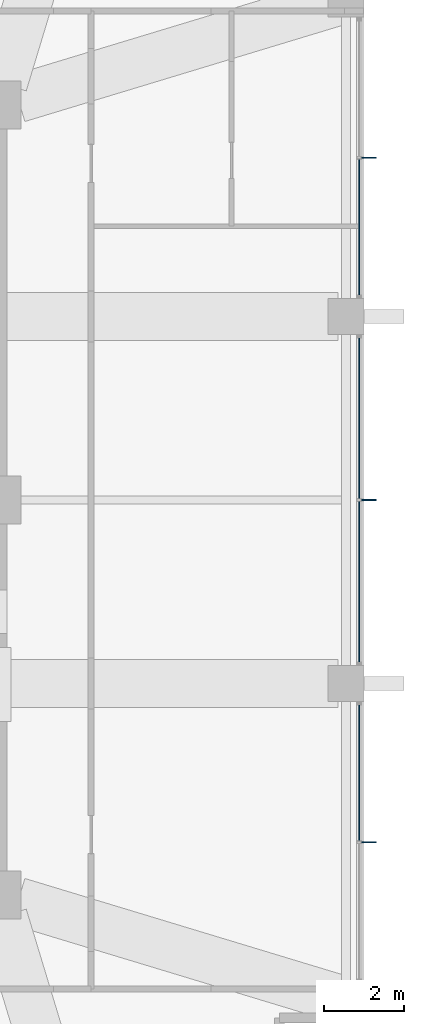
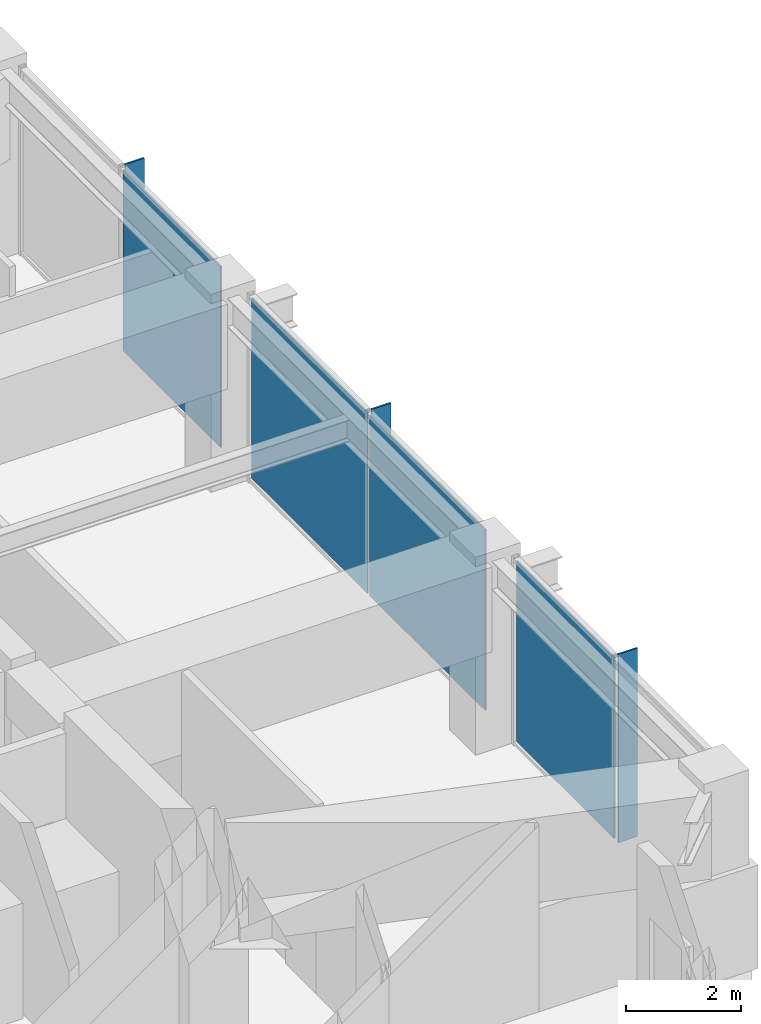
# One storey, part 24 of 33: 7 plates, 3 elements without a shape of their own.
"""IFC4 building model written with IfcOpenShell, lengths in metres."""

from ifc_helpers import new_model, si_unit, direction, frame, origin, origin_2d, place, context, subcontext, project, spatial, rectangle, extrude, material, layer, layer_set, type_object, element, aggregate, save


model = new_model("IFC4")

# Units and contexts
model_context = context("Model", 3, precision=1e-05, world=origin(), true_north=direction((0.0, 1.0)))
body_context = subcontext(model_context, "Body", "Model", "MODEL_VIEW")
ifc_project = project(units=[si_unit("LENGTHUNIT", "METRE"), si_unit("AREAUNIT", "SQUARE_METRE"), si_unit("VOLUMEUNIT", "CUBIC_METRE"), si_unit("PLANEANGLEUNIT", "RADIAN"), si_unit("MASSUNIT", "GRAM", prefix="KILO")], contexts=[model_context])

# Site, building, storey
site_placement = place(None, origin())
site = spatial("IfcSite", under=ifc_project, at=site_placement, CompositionType="ELEMENT")
building_placement = place(site_placement, origin())
building = spatial("IfcBuilding", under=site, at=building_placement, Name="Kolvaren Belvedere", CompositionType="ELEMENT")
storey_placement = place(building_placement, frame((0.0, 0.0, 152.699951171875)))
storey = spatial("IfcBuildingStorey", under=building, at=storey_placement, Name="L44", CompositionType="ELEMENT", Elevation=152.699951171875)

# Curtain wall, plate
ifc_material_1 = material(Name="Anodised pale-metal aluminium AA 6063-T6", Category="aluminium")
curtain_wall_type = type_object("IfcCurtainWallType", Name="CW-Z3-WAIST", PredefinedType="NOTDEFINED", material=ifc_material_1)
curtain_wall_1_placement = place(storey_placement, origin())
curtain_wall_1 = element("IfcCurtainWall", 1, at=curtain_wall_1_placement, inside=storey, type_object=curtain_wall_type, Name="L44 Unitised Curtain Wall FCW-L44-E-B1", PredefinedType="NOTDEFINED")
ifc_material_2 = material(Name="Low-iron triple insulated glass", Category="glass")
ifc_layer_1 = layer(ifc_material_2, 0.028076171875)
ifc_layer_set_1 = layer_set([ifc_layer_1], Name="Low-iron triple insulated glass")
plate_type_1 = type_object("IfcPlateType", Name="CW-PNL-VIS28", PredefinedType="CURTAIN_PANEL", material=ifc_layer_set_1)
plate_1_placement = place(storey_placement, frame((18.97998046875, 6.8388671875, 0.080078125), z_axis=(0.0, 0.0, 1.0), x_axis=(0.0, -1.0, 0.0)))
plate_1 = element("IfcPlate", 2, at=plate_1_placement, type_object=plate_type_1, Name="FCW-L44-E-B1 Vision Glazing Panel 2", PredefinedType="CURTAIN_PANEL", context=body_context, shape_type="SweptSolid", body=[
    extrude(rectangle(XDim=3.392578125, YDim=0.028076171875, at=origin_2d()), origin(), (0.0, 0.0, 1.0), 3.840087890625),
])
aggregate(curtain_wall_1, [plate_1])

# Curtain wall, plates
curtain_wall_2_placement = place(storey_placement, origin())
curtain_wall_2 = element("IfcCurtainWall", 3, at=curtain_wall_2_placement, inside=storey, type_object=curtain_wall_type, Name="L44 Unitised Curtain Wall FCW-L44-E-B2", PredefinedType="NOTDEFINED")
plate_2_placement = place(storey_placement, frame((18.97998046875, 2.048828125, 0.080078125), z_axis=(0.0, 0.0, 1.0), x_axis=(0.0, -1.0, 0.0)))
plate_2 = element("IfcPlate", 4, at=plate_2_placement, type_object=plate_type_1, Name="FCW-L44-E-B2 Vision Glazing Panel 1", PredefinedType="CURTAIN_PANEL", context=body_context, shape_type="SweptSolid", body=[
    extrude(rectangle(XDim=4.017578125, YDim=0.028076171875, at=origin_2d()), origin(), (0.0, 0.0, 1.0), 3.840087890625),
])
plate_3_placement = place(storey_placement, frame((18.97998046875, -2.048828125, 0.080078125), z_axis=(0.0, 0.0, 1.0), x_axis=(0.0, -1.0, 0.0)))
plate_3 = element("IfcPlate", 5, at=plate_3_placement, type_object=plate_type_1, Name="FCW-L44-E-B2 Vision Glazing Panel 2", PredefinedType="CURTAIN_PANEL", context=body_context, shape_type="SweptSolid", body=[
    extrude(rectangle(XDim=4.017578125, YDim=0.028076171875, at=origin_2d()), origin(), (0.0, 0.0, 1.0), 3.840087890625),
])
aggregate(curtain_wall_2, [plate_2, plate_3])

# Curtain wall, plate
curtain_wall_3_placement = place(storey_placement, origin())
curtain_wall_3 = element("IfcCurtainWall", 6, at=curtain_wall_3_placement, inside=storey, type_object=curtain_wall_type, Name="L44 Unitised Curtain Wall FCW-L44-E-B3", PredefinedType="NOTDEFINED")
plate_4_placement = place(storey_placement, frame((18.97998046875, -6.8388671875, 0.080078125), z_axis=(0.0, 0.0, 1.0), x_axis=(0.0, -1.0, 0.0)))
plate_4 = element("IfcPlate", 7, at=plate_4_placement, type_object=plate_type_1, Name="FCW-L44-E-B3 Vision Glazing Panel 1", PredefinedType="CURTAIN_PANEL", context=body_context, shape_type="SweptSolid", body=[
    extrude(rectangle(XDim=3.392578125, YDim=0.028076171875, at=origin_2d()), origin(), (0.0, 0.0, 1.0), 3.840087890625),
])
aggregate(curtain_wall_3, [plate_4])

# Plates
ifc_material_3 = material(Name="Anodised pale-metal aluminium AA 6063-T6", Category="aluminium")
ifc_layer_2 = layer(ifc_material_3, 0.033935546875)
ifc_layer_set_2 = layer_set([ifc_layer_2], Name="Anodised pale-metal aluminium AA 6063-T6")
plate_type_2 = type_object("IfcPlateType", Name="FIN-VERT-380", PredefinedType="USERDEFINED", material=ifc_layer_set_2)
for number, where, z_axis, x_axis, name in (
    (8, (19.219970703125, 8.574951171875, 0.0), (0.0, 0.0, 1.0), (1.0, 0.0, 0.0), "L44 Pale-Metal Vertical Shading Fin FCW-L44-E-B1-1"),
    (9, (19.219970703125, 0.0, 0.0), (0.0, 0.0, 1.0), (1.0, 0.0, 0.0), "L44 Pale-Metal Vertical Shading Fin FCW-L44-E-B2-1"),
    (10, (19.219970703125, -8.574951171875, 0.0), (0.0, 0.0, 1.0), (1.0, 0.0, 0.0), "L44 Pale-Metal Vertical Shading Fin FCW-L44-E-B3-1"),
):
    element("IfcPlate", number, at=place(storey_placement, frame(where, z_axis=z_axis, x_axis=x_axis)), inside=storey, type_object=plate_type_2, Name=name, ObjectType="VERTICAL FIN", PredefinedType="USERDEFINED", context=body_context, shape_type="SweptSolid", body=[
        extrude(rectangle(XDim=0.3798828125, YDim=0.033935546875, at=origin_2d()), origin(), (0.0, 0.0, 1.0), 4.0),
    ])

save(model, "model.ifc")
